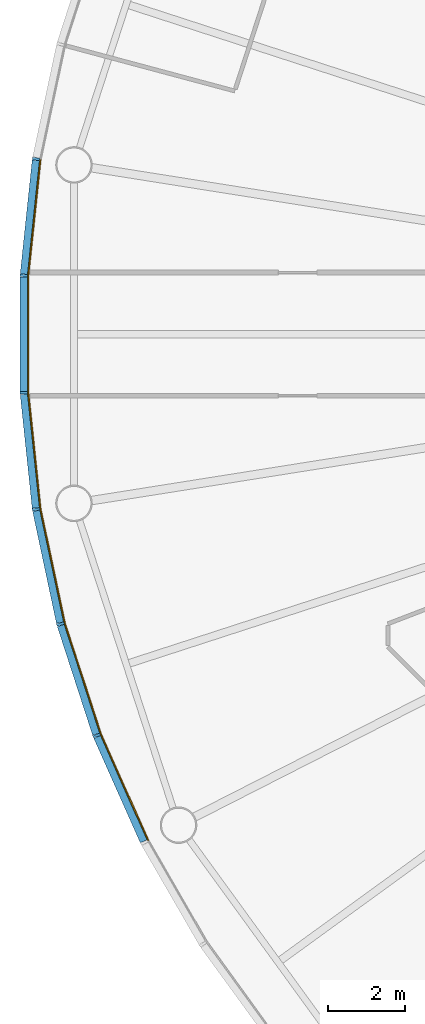
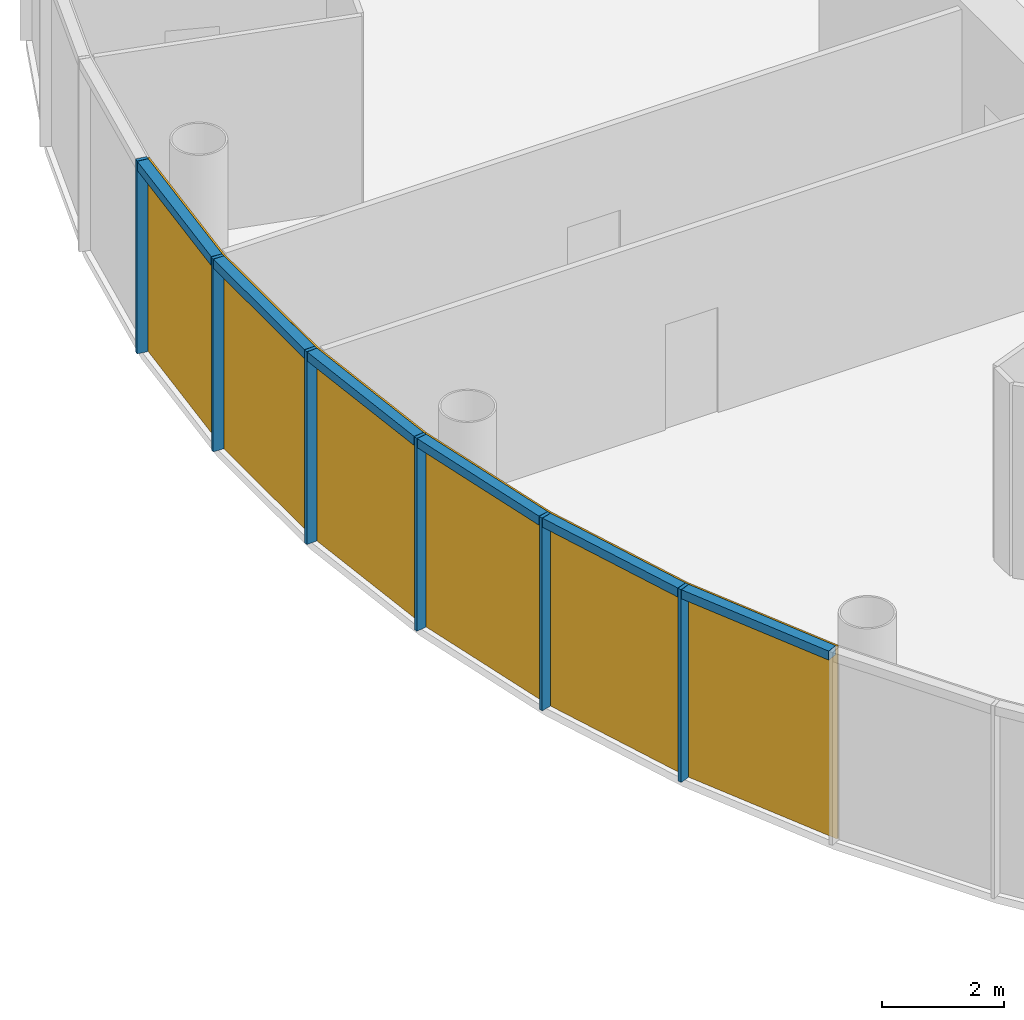
# One storey, part 8 of 13: 12 members, 2 curtain walls.
"""IFC4 building model written with IfcOpenShell, lengths in metres."""

from ifc_helpers import new_model, si_unit, direction, frame, origin, origin_2d, place, context, subcontext, project, spatial, polyline, rectangle, outline, extrude, material, layer, layer_set, material_profile, profile_set, type_object, element, aggregate, save


model = new_model("IFC4")

# Units and contexts
model_context = context("Model", 3, precision=1e-05, world=origin(), true_north=direction((0.0, 1.0)))
body_context = subcontext(model_context, "Body", "Model", "MODEL_VIEW")
ifc_project = project(units=[si_unit("LENGTHUNIT", "METRE"), si_unit("AREAUNIT", "SQUARE_METRE"), si_unit("VOLUMEUNIT", "CUBIC_METRE"), si_unit("PLANEANGLEUNIT", "RADIAN"), si_unit("MASSUNIT", "GRAM", prefix="KILO")], contexts=[model_context])

# Member
ifc_material_1 = material(Name="Anodised aluminium", Category="aluminium")
ifc_material_profile_1 = material_profile(ifc_material_1, rectangle(XDim=0.06494140625, YDim=0.195068359375, at=origin_2d()), Name="Mullion 65 x 195 mm anodised aluminium")
ifc_profile_set_1 = profile_set([ifc_material_profile_1], Name="Anodised aluminium")
member_type_1 = type_object("IfcMemberType", Name="Mullion 65 x 195 mm anodised aluminium", PredefinedType="MULLION", material=ifc_profile_set_1)
site_placement = place(None, origin())
building_placement = place(site_placement, origin())
storey_placement = place(building_placement, frame((0.0, 0.0, 286.0)))
member_1_placement = place(storey_placement, frame((61.2607421875, 84.5517578125, 0.0), z_axis=(0.0, 0.0, 1.0), x_axis=(-0.15643446504, -0.987688340595, 0.0)))
member_1 = element("IfcMember", 1, at=member_1_placement, type_object=member_type_1, Name="MULLION L65-27", PredefinedType="MULLION", context=body_context, shape_type="SweptSolid", body=[
    extrude(rectangle(XDim=0.06494140625, YDim=0.195068359375, at=origin_2d()), origin(), (0.0, 0.0, 1.0), 3.85009765625),
])

member_2_placement = place(storey_placement, frame((60.9423828125, 81.52294921875, 0.0), z_axis=(0.0, 0.0, 1.0), x_axis=(-0.052335956243, -0.998629534755, 0.0)))
member_2 = element("IfcMember", 2, at=member_2_placement, type_object=member_type_1, Name="MULLION L65-28", PredefinedType="MULLION", context=body_context, shape_type="SweptSolid", body=[
    extrude(rectangle(XDim=0.06494140625, YDim=0.195068359375, at=origin_2d()), origin(), (0.0, 0.0, 1.0), 3.85009765625),
])

member_3_placement = place(storey_placement, frame((60.9423828125, 78.47705078125, 0.0), z_axis=(0.0, 0.0, 1.0), x_axis=(0.052335956243, -0.998629534755, 0.0)))
member_3 = element("IfcMember", 3, at=member_3_placement, type_object=member_type_1, Name="MULLION L65-29", PredefinedType="MULLION", context=body_context, shape_type="SweptSolid", body=[
    extrude(rectangle(XDim=0.06494140625, YDim=0.195068359375, at=origin_2d()), origin(), (0.0, 0.0, 1.0), 3.85009765625),
])

member_4_placement = place(storey_placement, frame((61.2607421875, 75.4482421875, 0.0), z_axis=(0.0, 0.0, 1.0), x_axis=(0.15643446504, -0.987688340595, 0.0)))
member_4 = element("IfcMember", 4, at=member_4_placement, type_object=member_type_1, Name="MULLION L65-30", PredefinedType="MULLION", context=body_context, shape_type="SweptSolid", body=[
    extrude(rectangle(XDim=0.06494140625, YDim=0.195068359375, at=origin_2d()), origin(), (0.0, 0.0, 1.0), 3.85009765625),
])

member_5_placement = place(storey_placement, frame((61.89404296875, 72.468994140625, 0.0), z_axis=(0.0, 0.0, 1.0), x_axis=(0.258819045103, -0.965925826289, 0.0)))
member_5 = element("IfcMember", 5, at=member_5_placement, type_object=member_type_1, Name="MULLION L65-31", PredefinedType="MULLION", context=body_context, shape_type="SweptSolid", body=[
    extrude(rectangle(XDim=0.06494140625, YDim=0.195068359375, at=origin_2d()), origin(), (0.0, 0.0, 1.0), 3.85009765625),
])

member_6_placement = place(storey_placement, frame((62.835205078125, 69.572509765625, 0.0), z_axis=(0.0, 0.0, 1.0), x_axis=(0.358367949545, -0.933580426497, 0.0)))
member_6 = element("IfcMember", 6, at=member_6_placement, type_object=member_type_1, Name="MULLION L65-32", PredefinedType="MULLION", context=body_context, shape_type="SweptSolid", body=[
    extrude(rectangle(XDim=0.06494140625, YDim=0.195068359375, at=origin_2d()), origin(), (0.0, 0.0, 1.0), 3.85009765625),
])

ifc_material_2 = material(Name="Anodised aluminium", Category="aluminium")
ifc_material_profile_2 = material_profile(ifc_material_2, rectangle(XDim=0.195068359375, YDim=0.179931640625, at=origin_2d()), Name="Transom 180 x 195 mm anodised aluminium")
ifc_profile_set_2 = profile_set([ifc_material_profile_2], Name="Anodised aluminium")
member_type_2 = type_object("IfcMemberType", Name="Transom 180 x 195 mm anodised aluminium", PredefinedType="USERDEFINED", material=ifc_profile_set_2)
member_7_placement = place(storey_placement, frame((61.256591796875, 84.514404296875, 3.760009765625), z_axis=(-0.104466577987, -0.994528397827, 0.0), x_axis=(0.994528397827, -0.104466577987, 0.0)))
member_7 = element("IfcMember", 7, at=member_7_placement, type_object=member_type_2, Name="TRANSOM L65-27", ObjectType="TRANSOM", PredefinedType="USERDEFINED", context=body_context, shape_type="SweptSolid", body=[
    extrude(rectangle(XDim=0.195068359375, YDim=0.179931640625, at=origin_2d()), origin(), (0.0, 0.0, 1.0), 2.970458984375),
])

member_8_placement = place(storey_placement, frame((60.942138671875, 81.4853515625, 3.760009765625), z_axis=(0.0, -1.0, 0.0), x_axis=(1.0, 0.0, 0.0)))
member_8 = element("IfcMember", 8, at=member_8_placement, type_object=member_type_2, Name="TRANSOM L65-28", ObjectType="TRANSOM", PredefinedType="USERDEFINED", context=body_context, shape_type="SweptSolid", body=[
    extrude(rectangle(XDim=0.195068359375, YDim=0.179931640625, at=origin_2d()), origin(), (0.0, 0.0, 1.0), 2.970703125),
])

member_9_placement = place(storey_placement, frame((60.9462890625, 78.439697265625, 3.760009765625), z_axis=(0.104466577987, -0.994528397827, 0.0), x_axis=(0.994528397827, 0.104466577987, 0.0)))
member_9 = element("IfcMember", 9, at=member_9_placement, type_object=member_type_2, Name="TRANSOM L65-29", ObjectType="TRANSOM", PredefinedType="USERDEFINED", context=body_context, shape_type="SweptSolid", body=[
    extrude(rectangle(XDim=0.195068359375, YDim=0.179931640625, at=origin_2d()), origin(), (0.0, 0.0, 1.0), 2.970458984375),
])

member_10_placement = place(storey_placement, frame((61.268310546875, 75.411376953125, 3.760009765625), z_axis=(0.207940342877, -0.978141510112, 0.0), x_axis=(0.978141510112, 0.207940342877, 0.0)))
member_10 = element("IfcMember", 10, at=member_10_placement, type_object=member_type_2, Name="TRANSOM L65-30", ObjectType="TRANSOM", PredefinedType="USERDEFINED", context=body_context, shape_type="SweptSolid", body=[
    extrude(rectangle(XDim=0.195068359375, YDim=0.179931640625, at=origin_2d()), origin(), (0.0, 0.0, 1.0), 2.970458984375),
])

member_11_placement = place(storey_placement, frame((61.905517578125, 72.43310546875, 3.760009765625), z_axis=(0.309043326415, -0.951047960094, 0.0), x_axis=(0.951047960094, 0.309043326415, 0.0)))
member_11 = element("IfcMember", 11, at=member_11_placement, type_object=member_type_2, Name="TRANSOM L65-31", ObjectType="TRANSOM", PredefinedType="USERDEFINED", context=body_context, shape_type="SweptSolid", body=[
    extrude(rectangle(XDim=0.195068359375, YDim=0.179931640625, at=origin_2d()), origin(), (0.0, 0.0, 1.0), 2.970458984375),
])

member_12_placement = place(storey_placement, frame((62.850341796875, 69.5380859375, 3.760009765625), z_axis=(0.406725527369, -0.913550406593, 0.0), x_axis=(0.913550406593, 0.406725527369, 0.0)))
member_12 = element("IfcMember", 12, at=member_12_placement, type_object=member_type_2, Name="TRANSOM L65-32", ObjectType="TRANSOM", PredefinedType="USERDEFINED", context=body_context, shape_type="SweptSolid", body=[
    extrude(rectangle(XDim=0.195068359375, YDim=0.179931640625, at=origin_2d()), origin(), (0.0, 0.0, 1.0), 2.970703125),
])

# Site, building, storey
site = spatial("IfcSite", under=ifc_project, at=site_placement, CompositionType="ELEMENT")
building = spatial("IfcBuilding", under=site, at=building_placement, Name="Entoto Ring Tower", CompositionType="ELEMENT")
storey = spatial("IfcBuildingStorey", under=building, at=storey_placement, Name="L65", CompositionType="ELEMENT", Elevation=286.0)

# Curtain wall
ifc_material_3 = material(Name="Clear low-iron glass", Category="glass")
ifc_layer = layer(ifc_material_3, 0.033935546875)
ifc_layer_set = layer_set([ifc_layer], Name="Clear low-iron glass")
curtain_wall_type = type_object("IfcCurtainWallType", Name="Curtain wall system CW5 glazing 34 mm", PredefinedType="NOTDEFINED", material=ifc_layer_set)
curtain_wall_1_placement = place(storey_placement, origin())
curtain_wall_1 = element("IfcCurtainWall", 13, at=curtain_wall_1_placement, inside=storey, type_object=curtain_wall_type, Name="CW5 L65-10", PredefinedType="NOTDEFINED", context=body_context, shape_type="SweptSolid", body=[
    extrude(outline(polyline([(61.35693359375, 84.53662109375), (61.039794921875, 81.517822265625), (61.039794921875, 78.482177734375), (61.35693359375, 75.46337890625), (61.390625, 75.46875), (61.07373046875, 78.484130859375), (61.07373046875, 81.515869140625), (61.390625, 84.53125), (61.35693359375, 84.53662109375)])), origin(), (0.0, 0.0, 1.0), 3.85009765625),
])

aggregate(curtain_wall_1, [member_1, member_2, member_3, member_7, member_8, member_9])

curtain_wall_2_placement = place(storey_placement, origin())
curtain_wall_2 = element("IfcCurtainWall", 14, at=curtain_wall_2_placement, inside=storey, type_object=curtain_wall_type, Name="CW5 L65-11", PredefinedType="NOTDEFINED", context=body_context, shape_type="SweptSolid", body=[
    extrude(outline(polyline([(61.35693359375, 75.46337890625), (61.988037109375, 72.494140625), (62.92626953125, 69.607421875), (64.160888671875, 66.834228515625), (64.191162109375, 66.849853515625), (62.9580078125, 69.61962890625), (62.02099609375, 72.503173828125), (61.390625, 75.46875), (61.35693359375, 75.46337890625)])), origin(), (0.0, 0.0, 1.0), 3.85009765625),
])

aggregate(curtain_wall_2, [member_4, member_5, member_6, member_10, member_11, member_12])

save(model, "model.ifc")
